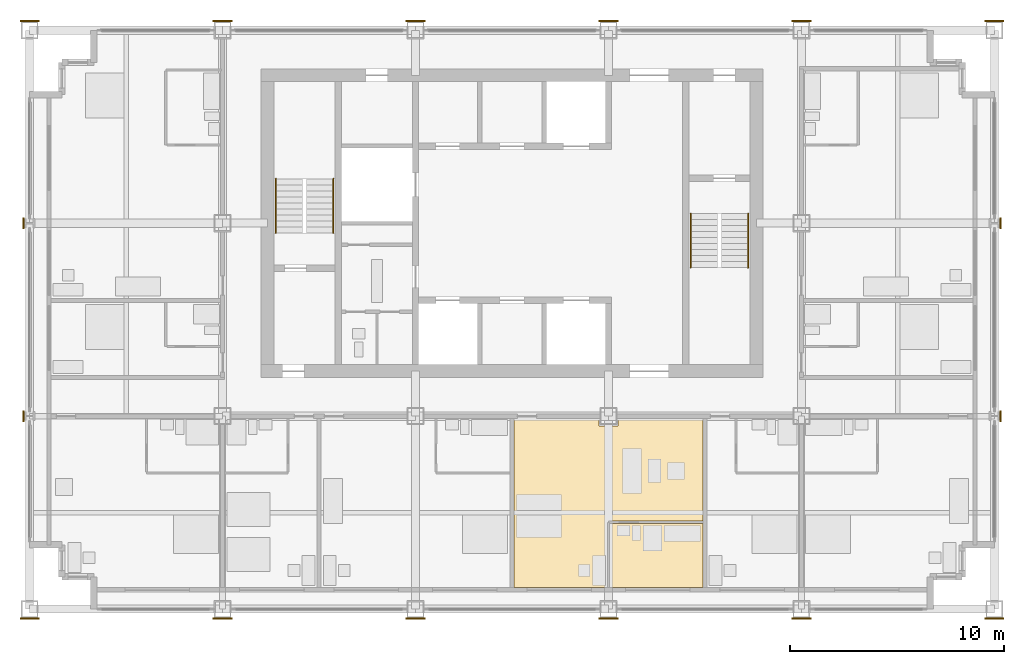
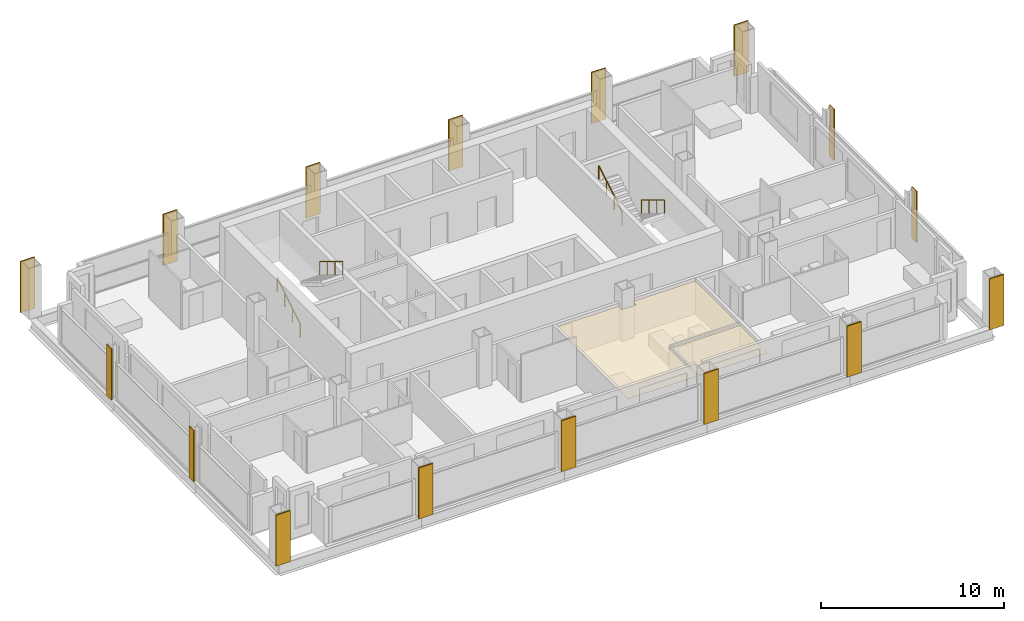
# One storey, part 11 of 13: 18 coverings, 4 railings.
"""IFC4 building model written with IfcOpenShell, lengths in metres."""

from ifc_helpers import new_model, si_unit, direction, frame, origin, origin_2d, place, context, subcontext, project, spatial, polyline, rectangle, circle, outline, extrude, material, layer, layer_set, type_object, element, save


model = new_model("IFC4")

# Units and contexts
model_context = context("Model", 3, precision=1e-05, world=origin(), true_north=direction((0.0, 1.0)))
body_context = subcontext(model_context, "Body", "Model", "MODEL_VIEW")
ifc_project = project(units=[si_unit("LENGTHUNIT", "METRE"), si_unit("AREAUNIT", "SQUARE_METRE"), si_unit("VOLUMEUNIT", "CUBIC_METRE"), si_unit("PLANEANGLEUNIT", "RADIAN"), si_unit("MASSUNIT", "GRAM", prefix="KILO")], contexts=[model_context])

# Site, building, storey
site_placement = place(None, origin())
site = spatial("IfcSite", under=ifc_project, at=site_placement, CompositionType="ELEMENT")
building_placement = place(site_placement, origin())
building = spatial("IfcBuilding", under=site, at=building_placement, Name="Loomwork Tower", CompositionType="ELEMENT")
storey_placement = place(building_placement, frame((0.0, 0.0, 211.39990234375)))
storey = spatial("IfcBuildingStorey", under=building, at=storey_placement, Name="L58", CompositionType="ELEMENT", Elevation=211.39990234375)

# Railings
ifc_material_1 = material(Name="Stainless steel handrail", Category="steel")
railing_type = type_object("IfcRailingType", Name="Handrail 900", PredefinedType="HANDRAIL", material=ifc_material_1)
railing_1_placement = place(storey_placement, frame((11.485107421875, 17.550048828125, 0.170166015625)))
element("IfcRailing", 1, at=railing_1_placement, inside=storey, type_object=railing_type, Name="Stair A handrail flight 1 L58", PredefinedType="HANDRAIL", context=body_context, shape_type="SweptSolid", body=[
    extrude(circle(Radius=0.02392578125, at=origin_2d()), frame((0.0, 0.0, 0.8759765625), z_axis=(0.0, 0.85478489116, 0.518982456201), x_axis=(-1.0, 0.0, 0.0)), (0.0, 0.0, 1.0), 2.9482421875),
    extrude(circle(Radius=0.02099609375, at=origin_2d()), origin(), (0.0, 0.0, 1.0), 0.851806640625),
    extrude(circle(Radius=0.02099609375, at=origin_2d()), frame((0.0, 0.840087890625, 0.510009765625)), (0.0, 0.0, 1.0), 0.851806640625),
    extrude(circle(Radius=0.02099609375, at=origin_2d()), frame((0.0, 1.679931640625, 1.02001953125)), (0.0, 0.0, 1.0), 0.851806640625),
    extrude(circle(Radius=0.02099609375, at=origin_2d()), frame((0.0, 2.52001953125, 1.530029296875)), (0.0, 0.0, 1.0), 0.851806640625),
])
for number, where, name in (
    (2, (14.1650390625, 20.070068359375, 1.8701171875), "Stair A handrail flight 2 L58"),
    (3, (33.514892578125, 18.449951171875, 0.170166015625), "Stair B handrail flight 1 L58"),
):
    element("IfcRailing", number, at=place(storey_placement, frame(where)), inside=storey, type_object=railing_type, Name=name, PredefinedType="HANDRAIL", context=body_context, shape_type="SweptSolid", body=[
        extrude(circle(Radius=0.02392578125, at=origin_2d()), frame((0.0, 0.0, 0.8759765625), z_axis=(0.0, -0.85478489116, 0.518982456201), x_axis=(1.0, 0.0, 0.0)), (0.0, 0.0, 1.0), 2.9482421875),
        extrude(circle(Radius=0.02099609375, at=origin_2d()), origin(), (0.0, 0.0, 1.0), 0.851806640625),
        extrude(circle(Radius=0.02099609375, at=origin_2d()), frame((0.0, -0.840087890625, 0.510009765625)), (0.0, 0.0, 1.0), 0.851806640625),
        extrude(circle(Radius=0.02099609375, at=origin_2d()), frame((0.0, -1.679931640625, 1.02001953125)), (0.0, 0.0, 1.0), 0.851806640625),
        extrude(circle(Radius=0.02099609375, at=origin_2d()), frame((0.0, -2.52001953125, 1.530029296875)), (0.0, 0.0, 1.0), 0.851806640625),
    ])
railing_2_placement = place(storey_placement, frame((30.8349609375, 15.929931640625, 1.8701171875)))
element("IfcRailing", 4, at=railing_2_placement, inside=storey, type_object=railing_type, Name="Stair B handrail flight 2 L58", PredefinedType="HANDRAIL", context=body_context, shape_type="SweptSolid", body=[
    extrude(circle(Radius=0.02392578125, at=origin_2d()), frame((0.0, 0.0, 0.8759765625), z_axis=(0.0, 0.85478489116, 0.518982456201), x_axis=(-1.0, 0.0, 0.0)), (0.0, 0.0, 1.0), 2.9482421875),
    extrude(circle(Radius=0.02099609375, at=origin_2d()), origin(), (0.0, 0.0, 1.0), 0.851806640625),
    extrude(circle(Radius=0.02099609375, at=origin_2d()), frame((0.0, 0.840087890625, 0.510009765625)), (0.0, 0.0, 1.0), 0.851806640625),
    extrude(circle(Radius=0.02099609375, at=origin_2d()), frame((0.0, 1.679931640625, 1.02001953125)), (0.0, 0.0, 1.0), 0.851806640625),
    extrude(circle(Radius=0.02099609375, at=origin_2d()), frame((0.0, 2.52001953125, 1.530029296875)), (0.0, 0.0, 1.0), 0.851806640625),
])

# Coverings
ifc_material_2 = material(Name="Limestone", Category="masonry")
ifc_layer_1 = layer(ifc_material_2, 0.080078125)
ifc_layer_set_1 = layer_set([ifc_layer_1], Name="Limestone pier facing 80")
covering_type_1 = type_object("IfcCoveringType", Name="Limestone pier facing 80", PredefinedType="CLADDING", material=ifc_layer_set_1)
covering_1_placement = place(storey_placement, frame((0.0, -0.43994140625, 0.000244140625), z_axis=(0.0, 0.0, 1.0), x_axis=(1.0, 0.0, 0.0)))
element("IfcCovering", 5, at=covering_1_placement, inside=storey, type_object=covering_type_1, Name="Pier facing D/2 L58", PredefinedType="CLADDING", context=body_context, shape_type="SweptSolid", body=[
    extrude(rectangle(XDim=0.89990234375, YDim=0.080078125, at=origin_2d()), origin(), (0.0, 0.0, 1.0), 3.39990234375),
])
for number, where, z_axis, x_axis, name in (
    (6, (-0.28125, 9.0, 0.000244140625), (0.0, 0.0, 1.0), (1.0, 0.0, 0.0), "Pier facing E/2 L58"),
    (7, (-0.28125, 18.0, 0.000244140625), (0.0, 0.0, 1.0), (1.0, 0.0, 0.0), "Pier facing F/2 L58"),
):
    element("IfcCovering", number, at=place(storey_placement, frame(where, z_axis=z_axis, x_axis=x_axis)), inside=storey, type_object=covering_type_1, Name=name, PredefinedType="CLADDING", context=body_context, shape_type="SweptSolid", body=[
        extrude(rectangle(XDim=0.080078125, YDim=0.526611328125, at=origin_2d()), origin(), (0.0, 0.0, 1.0), 3.39990234375),
    ])
for number, where, z_axis, x_axis, name in (
    (8, (0.0, 27.43994140625, 0.000244140625), (0.0, 0.0, 1.0), (1.0, 0.0, 0.0), "Pier facing G/2 L58"),
    (9, (9.0, -0.43994140625, 0.000244140625), (0.0, 0.0, 1.0), (1.0, 0.0, 0.0), "Pier facing D/3 L58"),
    (10, (9.0, 27.43994140625, 0.000244140625), (0.0, 0.0, 1.0), (1.0, 0.0, 0.0), "Pier facing G/3 L58"),
    (11, (18.0, -0.43994140625, 0.000244140625), (0.0, 0.0, 1.0), (1.0, 0.0, 0.0), "Pier facing D/4 L58"),
    (12, (18.0, 27.43994140625, 0.000244140625), (0.0, 0.0, 1.0), (1.0, 0.0, 0.0), "Pier facing G/4 L58"),
    (13, (27.0, -0.43994140625, 0.000244140625), (0.0, 0.0, 1.0), (1.0, 0.0, 0.0), "Pier facing D/5 L58"),
    (14, (27.0, 27.43994140625, 0.000244140625), (0.0, 0.0, 1.0), (1.0, 0.0, 0.0), "Pier facing G/5 L58"),
    (15, (36.0, -0.43994140625, 0.000244140625), (0.0, 0.0, 1.0), (1.0, 0.0, 0.0), "Pier facing D/6 L58"),
    (16, (36.0, 27.43994140625, 0.000244140625), (0.0, 0.0, 1.0), (1.0, 0.0, 0.0), "Pier facing G/6 L58"),
    (17, (45.0, -0.43994140625, 0.000244140625), (0.0, 0.0, 1.0), (1.0, 0.0, 0.0), "Pier facing D/7 L58"),
):
    element("IfcCovering", number, at=place(storey_placement, frame(where, z_axis=z_axis, x_axis=x_axis)), inside=storey, type_object=covering_type_1, Name=name, PredefinedType="CLADDING", context=body_context, shape_type="SweptSolid", body=[
        extrude(rectangle(XDim=0.89990234375, YDim=0.080078125, at=origin_2d()), origin(), (0.0, 0.0, 1.0), 3.39990234375),
    ])
for number, where, z_axis, x_axis, name in (
    (18, (45.28125, 9.0, 0.000244140625), (0.0, 0.0, 1.0), (1.0, 0.0, 0.0), "Pier facing E/7 L58"),
    (19, (45.28125, 18.0, 0.000244140625), (0.0, 0.0, 1.0), (1.0, 0.0, 0.0), "Pier facing F/7 L58"),
):
    element("IfcCovering", number, at=place(storey_placement, frame(where, z_axis=z_axis, x_axis=x_axis)), inside=storey, type_object=covering_type_1, Name=name, PredefinedType="CLADDING", context=body_context, shape_type="SweptSolid", body=[
        extrude(rectangle(XDim=0.080078125, YDim=0.526611328125, at=origin_2d()), origin(), (0.0, 0.0, 1.0), 3.39990234375),
    ])
covering_2_placement = place(storey_placement, frame((45.0, 27.43994140625, 0.000244140625), z_axis=(0.0, 0.0, 1.0), x_axis=(1.0, 0.0, 0.0)))
element("IfcCovering", 20, at=covering_2_placement, inside=storey, type_object=covering_type_1, Name="Pier facing G/7 L58", PredefinedType="CLADDING", context=body_context, shape_type="SweptSolid", body=[
    extrude(rectangle(XDim=0.89990234375, YDim=0.080078125, at=origin_2d()), origin(), (0.0, 0.0, 1.0), 3.39990234375),
])
ifc_material_3 = material(Name="Mineral fibre acoustic tile on suspension grid")
ifc_layer_2 = layer(ifc_material_3, 0.02490234375)
ifc_layer_set_2 = layer_set([ifc_layer_2], Name="Suspended acoustic ceiling")
covering_type_2 = type_object("IfcCoveringType", Name="Suspended acoustic ceiling", PredefinedType="CEILING", material=ifc_layer_set_2)
covering_3_placement = place(storey_placement, frame((0.0, 0.0, 2.175048828125)))
element("IfcCovering", 21, at=covering_3_placement, inside=storey, type_object=covering_type_2, Name="Ceiling Spa bathroom L58", PredefinedType="CEILING", context=body_context, shape_type="SweptSolid", body=[
    extrude(outline(polyline([(31.39990234375, 4.0), (31.39990234375, 1.0), (27.050048828125, 1.0), (27.050048828125, 4.0), (31.39990234375, 4.0)])), origin(), (0.0, 0.0, 1.0), 0.025146484375),
])
covering_4_placement = place(storey_placement, frame((0.0, 0.0, 2.175048828125)))
element("IfcCovering", 22, at=covering_4_placement, inside=storey, type_object=covering_type_2, Name="Ceiling Spa suite L58", PredefinedType="CEILING", context=body_context, shape_type="SweptSolid", body=[
    extrude(outline(polyline([(26.550048828125, 8.89990234375), (26.550048828125, 8.550048828125), (27.449951171875, 8.550048828125), (27.449951171875, 8.89990234375), (31.39990234375, 8.89990234375), (31.39990234375, 4.10009765625), (26.949951171875, 4.10009765625), (26.949951171875, 1.0), (22.60009765625, 1.0), (22.60009765625, 8.89990234375), (26.550048828125, 8.89990234375)])), origin(), (0.0, 0.0, 1.0), 0.025146484375),
])

save(model, "model.ifc")
